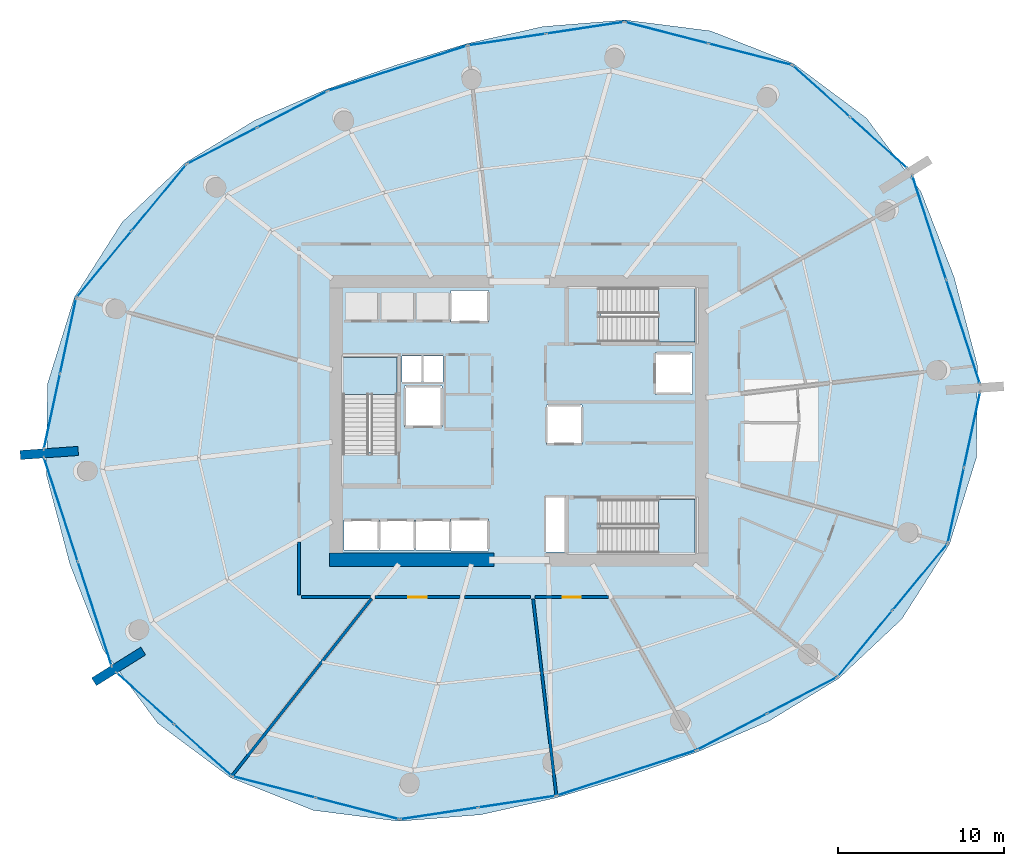
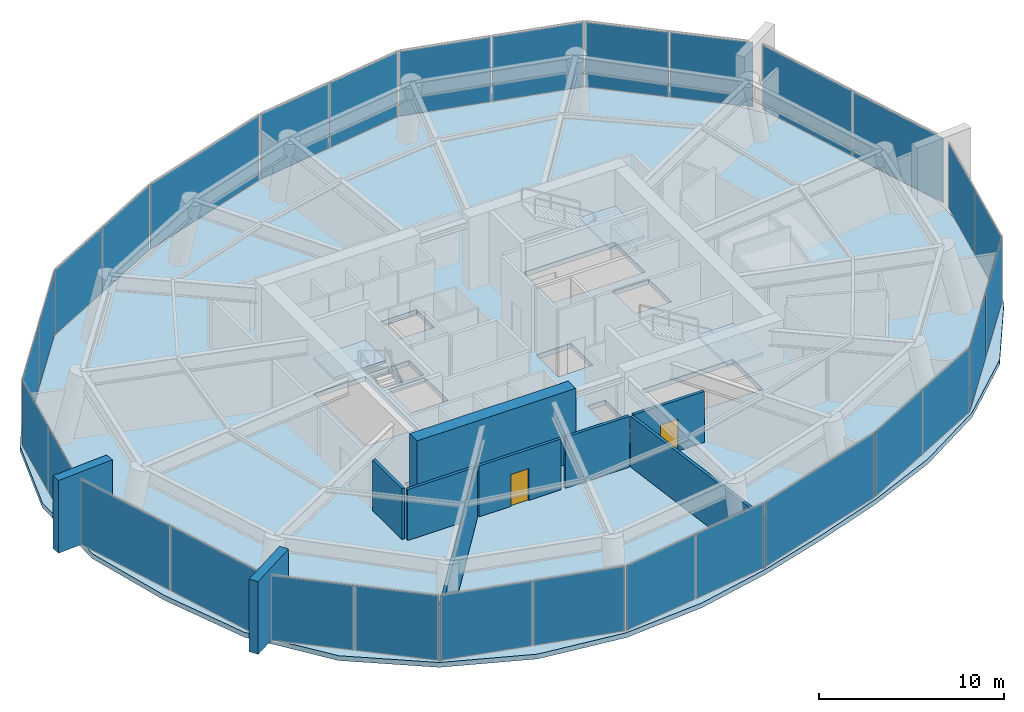
# One storey, part 10 of 16: 30 plates, 10 walls, 4 slabs, 2 doors, 2 openings, 19 elements without a shape of their own.
"""IFC4 building model written with IfcOpenShell, lengths in metres."""

from ifc_helpers import new_model, si_unit, direction, frame, frame_2d, origin, origin_2d, place, context, subcontext, project, spatial, polyline, rectangle, outline, extrude, material, layer, layer_set, type_object, element, fill, aggregate, save


model = new_model("IFC4")

# Units and contexts
model_context = context("Model", 3, precision=1e-05, world=origin(), true_north=direction((0.0, 1.0)))
body_context = subcontext(model_context, "Body", "Model", "MODEL_VIEW")
ifc_project = project(units=[si_unit("LENGTHUNIT", "METRE"), si_unit("AREAUNIT", "SQUARE_METRE"), si_unit("VOLUMEUNIT", "CUBIC_METRE"), si_unit("PLANEANGLEUNIT", "RADIAN"), si_unit("MASSUNIT", "GRAM", prefix="KILO")], contexts=[model_context])

# Site, building, storey
site_placement = place(None, origin())
site = spatial("IfcSite", under=ifc_project, at=site_placement, CompositionType="ELEMENT")
building_placement = place(site_placement, origin())
building = spatial("IfcBuilding", under=site, at=building_placement, Name="Kazma Halo Residences", CompositionType="ELEMENT")
storey_placement = place(building_placement, frame((0.0, 0.0, 123.0)))
storey = spatial("IfcBuildingStorey", under=building, at=storey_placement, Name="L30", CompositionType="ELEMENT", Elevation=123.0)

# Curtain wall, plates
ifc_material_1 = material(Name="Aluminium AW-6063 T6 and Triple-Silver Low-E Glass", Category="aluminium")
ifc_layer_1 = layer(ifc_material_1, 0.199951171875)
ifc_layer_set_1 = layer_set([ifc_layer_1], Name="Aluminium AW-6063 T6 and Triple-Silver Low-E Glass")
curtain_wall_type = type_object("IfcCurtainWallType", Name="CW-SYS-3", PredefinedType="NOTDEFINED", material=ifc_layer_set_1)
curtain_wall_1_placement = place(storey_placement, origin())
curtain_wall_1 = element("IfcCurtainWall", 1, at=curtain_wall_1_placement, inside=storey, type_object=curtain_wall_type, Name="L30 unitised curtain wall B01", PredefinedType="NOTDEFINED")
ifc_material_2 = material(Name="Clear Triple-Silver Low-E Glass IGU", Category="glass")
ifc_layer_2 = layer(ifc_material_2, 0.030029296875)
ifc_layer_set_2 = layer_set([ifc_layer_2], Name="Clear Triple-Silver Low-E Glass IGU")
plate_type = type_object("IfcPlateType", Name="CW-SYS-3-PNL", PredefinedType="CURTAIN_PANEL", material=ifc_layer_set_2)
plate_1_placement = place(storey_placement, frame((70.126953125, 58.763427734375, 0.06982421875), z_axis=(0.0, 0.0, 1.0), x_axis=(-0.744357306517, 0.667781551283, 0.0)))
plate_1 = element("IfcPlate", 2, at=plate_1_placement, type_object=plate_type, Name="CWS-3 panel 1.1", PredefinedType="CURTAIN_PANEL", context=body_context, shape_type="SweptSolid", body=[
    extrude(rectangle(XDim=4.581787109375, YDim=0.030029296875, at=origin_2d()), origin(), (0.0, 0.0, 1.0), 4.260009765625),
])
plate_2_placement = place(storey_placement, frame((66.664306640625, 61.869873046875, 0.06982421875), z_axis=(0.0, 0.0, 1.0), x_axis=(-0.744357306517, 0.667781551283, 0.0)))
plate_2 = element("IfcPlate", 3, at=plate_2_placement, type_object=plate_type, Name="CWS-3 panel 2.1", PredefinedType="CURTAIN_PANEL", context=body_context, shape_type="SweptSolid", body=[
    extrude(rectangle(XDim=4.581787109375, YDim=0.030029296875, at=origin_2d()), origin(), (0.0, 0.0, 1.0), 4.260009765625),
])
aggregate(curtain_wall_1, [plate_1, plate_2])

curtain_wall_2_placement = place(storey_placement, origin())
curtain_wall_2 = element("IfcCurtainWall", 4, at=curtain_wall_2_placement, inside=storey, type_object=curtain_wall_type, Name="L30 unitised curtain wall B02", PredefinedType="NOTDEFINED")
plate_3_placement = place(storey_placement, frame((62.359375, 64.102783203125, 0.06982421875), z_axis=(0.0, 0.0, 1.0), x_axis=(-0.968368348364, 0.249525032584, 0.0)))
plate_3 = element("IfcPlate", 5, at=plate_3_placement, type_object=plate_type, Name="CWS-3 panel 1.1", PredefinedType="CURTAIN_PANEL", context=body_context, shape_type="SweptSolid", body=[
    extrude(rectangle(XDim=5.121826171875, YDim=0.030029296875, at=origin_2d()), origin(), (0.0, 0.0, 1.0), 4.260009765625),
])
plate_4_placement = place(storey_placement, frame((57.331787109375, 65.3984375, 0.06982421875), z_axis=(0.0, 0.0, 1.0), x_axis=(-0.968368348364, 0.249525032584, 0.0)))
plate_4 = element("IfcPlate", 6, at=plate_4_placement, type_object=plate_type, Name="CWS-3 panel 2.1", PredefinedType="CURTAIN_PANEL", context=body_context, shape_type="SweptSolid", body=[
    extrude(rectangle(XDim=5.121826171875, YDim=0.030029296875, at=origin_2d()), origin(), (0.0, 0.0, 1.0), 4.260009765625),
])
aggregate(curtain_wall_2, [plate_3, plate_4])

curtain_wall_3_placement = place(storey_placement, origin())
curtain_wall_3 = element("IfcCurtainWall", 7, at=curtain_wall_3_placement, inside=storey, type_object=curtain_wall_type, Name="L30 unitised curtain wall B03", PredefinedType="NOTDEFINED")
plate_5_placement = place(storey_placement, frame((52.401123046875, 65.6962890625, 0.06982421875), z_axis=(0.0, 0.0, 1.0), x_axis=(-0.988872180269, -0.148767641273, 0.0)))
plate_5 = element("IfcPlate", 8, at=plate_5_placement, type_object=plate_type, Name="CWS-3 panel 1.1", PredefinedType="CURTAIN_PANEL", context=body_context, shape_type="SweptSolid", body=[
    extrude(rectangle(XDim=4.6796875, YDim=0.030029296875, at=origin_2d()), origin(), (0.0, 0.0, 1.0), 4.260009765625),
])
plate_6_placement = place(storey_placement, frame((47.704345703125, 64.98974609375, 0.06982421875), z_axis=(0.0, 0.0, 1.0), x_axis=(-0.988872180269, -0.148767641273, 0.0)))
plate_6 = element("IfcPlate", 9, at=plate_6_placement, type_object=plate_type, Name="CWS-3 panel 2.1", PredefinedType="CURTAIN_PANEL", context=body_context, shape_type="SweptSolid", body=[
    extrude(rectangle(XDim=4.6796875, YDim=0.030029296875, at=origin_2d()), origin(), (0.0, 0.0, 1.0), 4.260009765625),
])
aggregate(curtain_wall_3, [plate_5, plate_6])

# Curtain wall, plate
curtain_wall_4_placement = place(storey_placement, origin())
curtain_wall_4 = element("IfcCurtainWall", 10, at=curtain_wall_4_placement, inside=storey, type_object=curtain_wall_type, Name="L30 unitised curtain wall B04", PredefinedType="NOTDEFINED")
plate_7_placement = place(storey_placement, frame((41.093017578125, 63.25732421875, 0.06982421875), z_axis=(0.0, 0.0, 1.0), x_axis=(-0.951054810656, -0.309022243742, 0.0)))
plate_7 = element("IfcPlate", 11, at=plate_7_placement, type_object=plate_type, Name="CWS-3 panel 1.1", PredefinedType="CURTAIN_PANEL", context=body_context, shape_type="SweptSolid", body=[
    extrude(rectangle(XDim=8.751953125, YDim=0.030029296875, at=origin_2d()), origin(), (0.0, 0.0, 1.0), 4.260009765625),
])
aggregate(curtain_wall_4, [plate_7])

# Curtain wall, plates
curtain_wall_5_placement = place(storey_placement, origin())
curtain_wall_5 = element("IfcCurtainWall", 12, at=curtain_wall_5_placement, inside=storey, type_object=curtain_wall_type, Name="L30 unitised curtain wall B05", PredefinedType="NOTDEFINED")
plate_8_placement = place(storey_placement, frame((34.72607421875, 60.772705078125, 0.06982421875), z_axis=(0.0, 0.0, 1.0), x_axis=(-0.887460321925, -0.46088412536, 0.0)))
plate_8 = element("IfcPlate", 13, at=plate_8_placement, type_object=plate_type, Name="CWS-3 panel 1.1", PredefinedType="CURTAIN_PANEL", context=body_context, shape_type="SweptSolid", body=[
    extrude(rectangle(XDim=4.6796875, YDim=0.030029296875, at=origin_2d()), origin(), (0.0, 0.0, 1.0), 4.260009765625),
])
plate_9_placement = place(storey_placement, frame((30.510986328125, 58.583740234375, 0.06982421875), z_axis=(0.0, 0.0, 1.0), x_axis=(-0.887460321925, -0.46088412536, 0.0)))
plate_9 = element("IfcPlate", 14, at=plate_9_placement, type_object=plate_type, Name="CWS-3 panel 2.1", PredefinedType="CURTAIN_PANEL", context=body_context, shape_type="SweptSolid", body=[
    extrude(rectangle(XDim=4.6796875, YDim=0.030029296875, at=origin_2d()), origin(), (0.0, 0.0, 1.0), 4.260009765625),
])
aggregate(curtain_wall_5, [plate_8, plate_9])

curtain_wall_6_placement = place(storey_placement, origin())
curtain_wall_6 = element("IfcCurtainWall", 15, at=curtain_wall_6_placement, inside=storey, type_object=curtain_wall_type, Name="L30 unitised curtain wall B06", PredefinedType="NOTDEFINED")
plate_10_placement = place(storey_placement, frame((26.697265625, 55.444580078125, 0.06982421875), z_axis=(0.0, 0.0, 1.0), x_axis=(-0.636755852437, -0.771065486446, 0.0)))
plate_10 = element("IfcPlate", 16, at=plate_10_placement, type_object=plate_type, Name="CWS-3 panel 1.1", PredefinedType="CURTAIN_PANEL", context=body_context, shape_type="SweptSolid", body=[
    extrude(rectangle(XDim=5.121826171875, YDim=0.030029296875, at=origin_2d()), origin(), (0.0, 0.0, 1.0), 4.260009765625),
])
plate_11_placement = place(storey_placement, frame((23.391357421875, 51.44140625, 0.06982421875), z_axis=(0.0, 0.0, 1.0), x_axis=(-0.636755852437, -0.771065486446, 0.0)))
plate_11 = element("IfcPlate", 17, at=plate_11_placement, type_object=plate_type, Name="CWS-3 panel 2.1", PredefinedType="CURTAIN_PANEL", context=body_context, shape_type="SweptSolid", body=[
    extrude(rectangle(XDim=5.121826171875, YDim=0.030029296875, at=origin_2d()), origin(), (0.0, 0.0, 1.0), 4.260009765625),
])
aggregate(curtain_wall_6, [plate_10, plate_11])

curtain_wall_7_placement = place(storey_placement, origin())
curtain_wall_7 = element("IfcCurtainWall", 18, at=curtain_wall_7_placement, inside=storey, type_object=curtain_wall_type, Name="L30 unitised curtain wall B07", PredefinedType="NOTDEFINED")
plate_12_placement = place(storey_placement, frame((21.220947265625, 47.104248046875, 0.06982421875), z_axis=(0.0, 0.0, 1.0), x_axis=(-0.209680624634, -0.977769929816, 0.0)))
plate_12 = element("IfcPlate", 19, at=plate_12_placement, type_object=plate_type, Name="CWS-3 panel 1.1", PredefinedType="CURTAIN_PANEL", context=body_context, shape_type="SweptSolid", body=[
    extrude(rectangle(XDim=4.581787109375, YDim=0.030029296875, at=origin_2d()), origin(), (0.0, 0.0, 1.0), 4.260009765625),
])
plate_13_placement = place(storey_placement, frame((20.24560546875, 42.555908203125, 0.06982421875), z_axis=(0.0, 0.0, 1.0), x_axis=(-0.209680624634, -0.977769929816, 0.0)))
plate_13 = element("IfcPlate", 20, at=plate_13_placement, type_object=plate_type, Name="CWS-3 panel 2.1", PredefinedType="CURTAIN_PANEL", context=body_context, shape_type="SweptSolid", body=[
    extrude(rectangle(XDim=4.581787109375, YDim=0.030029296875, at=origin_2d()), origin(), (0.0, 0.0, 1.0), 4.260009765625),
])
aggregate(curtain_wall_7, [plate_12, plate_13])

curtain_wall_8_placement = place(storey_placement, origin())
curtain_wall_8 = element("IfcCurtainWall", 21, at=curtain_wall_8_placement, inside=storey, type_object=curtain_wall_type, Name="L30 unitised curtain wall B08", PredefinedType="NOTDEFINED")
plate_14_placement = place(storey_placement, frame((20.788818359375, 36.62939453125, 0.06982421875), z_axis=(0.0, 0.0, 1.0), x_axis=(0.309018103641, -0.951056155872, 0.0)))
plate_14 = element("IfcPlate", 22, at=plate_14_placement, type_object=plate_type, Name="CWS-3 panel 1.1", PredefinedType="CURTAIN_PANEL", context=body_context, shape_type="SweptSolid", body=[
    extrude(rectangle(XDim=6.531982421875, YDim=0.030029296875, at=origin_2d()), origin(), (0.0, 0.0, 1.0), 4.260009765625),
])
plate_15_placement = place(storey_placement, frame((22.828857421875, 30.3505859375, 0.06982421875), z_axis=(0.0, 0.0, 1.0), x_axis=(0.309018103641, -0.951056155872, 0.0)))
plate_15 = element("IfcPlate", 23, at=plate_15_placement, type_object=plate_type, Name="CWS-3 panel 2.1", PredefinedType="CURTAIN_PANEL", context=body_context, shape_type="SweptSolid", body=[
    extrude(rectangle(XDim=6.531982421875, YDim=0.030029296875, at=origin_2d()), origin(), (0.0, 0.0, 1.0), 4.260009765625),
])
aggregate(curtain_wall_8, [plate_14, plate_15])

curtain_wall_9_placement = place(storey_placement, origin())
curtain_wall_9 = element("IfcCurtainWall", 24, at=curtain_wall_9_placement, inside=storey, type_object=curtain_wall_type, Name="L30 unitised curtain wall B09", PredefinedType="NOTDEFINED")
plate_16_placement = place(storey_placement, frame((25.873046875, 25.236572265625, 0.06982421875), z_axis=(0.0, 0.0, 1.0), x_axis=(0.744357306517, -0.667781551283, 0.0)))
plate_16 = element("IfcPlate", 25, at=plate_16_placement, type_object=plate_type, Name="CWS-3 panel 1.1", PredefinedType="CURTAIN_PANEL", context=body_context, shape_type="SweptSolid", body=[
    extrude(rectangle(XDim=4.581787109375, YDim=0.030029296875, at=origin_2d()), origin(), (0.0, 0.0, 1.0), 4.260009765625),
])
plate_17_placement = place(storey_placement, frame((29.335693359375, 22.130126953125, 0.06982421875), z_axis=(0.0, 0.0, 1.0), x_axis=(0.744357306517, -0.667781551283, 0.0)))
plate_17 = element("IfcPlate", 26, at=plate_17_placement, type_object=plate_type, Name="CWS-3 panel 2.1", PredefinedType="CURTAIN_PANEL", context=body_context, shape_type="SweptSolid", body=[
    extrude(rectangle(XDim=4.581787109375, YDim=0.030029296875, at=origin_2d()), origin(), (0.0, 0.0, 1.0), 4.260009765625),
])
aggregate(curtain_wall_9, [plate_16, plate_17])

curtain_wall_10_placement = place(storey_placement, origin())
curtain_wall_10 = element("IfcCurtainWall", 27, at=curtain_wall_10_placement, inside=storey, type_object=curtain_wall_type, Name="L30 unitised curtain wall B10", PredefinedType="NOTDEFINED")
plate_18_placement = place(storey_placement, frame((33.640625, 19.897216796875, 0.06982421875), z_axis=(0.0, 0.0, 1.0), x_axis=(0.968368348364, -0.249525032584, 0.0)))
plate_18 = element("IfcPlate", 28, at=plate_18_placement, type_object=plate_type, Name="CWS-3 panel 1.1", PredefinedType="CURTAIN_PANEL", context=body_context, shape_type="SweptSolid", body=[
    extrude(rectangle(XDim=5.121826171875, YDim=0.030029296875, at=origin_2d()), origin(), (0.0, 0.0, 1.0), 4.260009765625),
])
plate_19_placement = place(storey_placement, frame((38.668212890625, 18.6015625, 0.06982421875), z_axis=(0.0, 0.0, 1.0), x_axis=(0.968368348364, -0.249525032584, 0.0)))
plate_19 = element("IfcPlate", 29, at=plate_19_placement, type_object=plate_type, Name="CWS-3 panel 2.1", PredefinedType="CURTAIN_PANEL", context=body_context, shape_type="SweptSolid", body=[
    extrude(rectangle(XDim=5.121826171875, YDim=0.030029296875, at=origin_2d()), origin(), (0.0, 0.0, 1.0), 4.260009765625),
])
aggregate(curtain_wall_10, [plate_18, plate_19])

curtain_wall_11_placement = place(storey_placement, origin())
curtain_wall_11 = element("IfcCurtainWall", 30, at=curtain_wall_11_placement, inside=storey, type_object=curtain_wall_type, Name="L30 unitised curtain wall B11", PredefinedType="NOTDEFINED")
plate_20_placement = place(storey_placement, frame((43.598876953125, 18.3037109375, 0.06982421875), z_axis=(0.0, 0.0, 1.0), x_axis=(0.988872180269, 0.148767641273, 0.0)))
plate_20 = element("IfcPlate", 31, at=plate_20_placement, type_object=plate_type, Name="CWS-3 panel 1.1", PredefinedType="CURTAIN_PANEL", context=body_context, shape_type="SweptSolid", body=[
    extrude(rectangle(XDim=4.6796875, YDim=0.030029296875, at=origin_2d()), origin(), (0.0, 0.0, 1.0), 4.260009765625),
])
plate_21_placement = place(storey_placement, frame((48.295654296875, 19.01025390625, 0.06982421875), z_axis=(0.0, 0.0, 1.0), x_axis=(0.988872180269, 0.148767641273, 0.0)))
plate_21 = element("IfcPlate", 32, at=plate_21_placement, type_object=plate_type, Name="CWS-3 panel 2.1", PredefinedType="CURTAIN_PANEL", context=body_context, shape_type="SweptSolid", body=[
    extrude(rectangle(XDim=4.6796875, YDim=0.030029296875, at=origin_2d()), origin(), (0.0, 0.0, 1.0), 4.260009765625),
])
aggregate(curtain_wall_11, [plate_20, plate_21])

# Curtain wall, plate
curtain_wall_12_placement = place(storey_placement, origin())
curtain_wall_12 = element("IfcCurtainWall", 33, at=curtain_wall_12_placement, inside=storey, type_object=curtain_wall_type, Name="L30 unitised curtain wall B12", PredefinedType="NOTDEFINED")
plate_22_placement = place(storey_placement, frame((54.906982421875, 20.74267578125, 0.06982421875), z_axis=(0.0, 0.0, 1.0), x_axis=(0.951054810656, 0.309022243742, 0.0)))
plate_22 = element("IfcPlate", 34, at=plate_22_placement, type_object=plate_type, Name="CWS-3 panel 1.1", PredefinedType="CURTAIN_PANEL", context=body_context, shape_type="SweptSolid", body=[
    extrude(rectangle(XDim=8.751953125, YDim=0.030029296875, at=origin_2d()), origin(), (0.0, 0.0, 1.0), 4.260009765625),
])
aggregate(curtain_wall_12, [plate_22])

# Curtain wall, plates
curtain_wall_13_placement = place(storey_placement, origin())
curtain_wall_13 = element("IfcCurtainWall", 35, at=curtain_wall_13_placement, inside=storey, type_object=curtain_wall_type, Name="L30 unitised curtain wall B13", PredefinedType="NOTDEFINED")
plate_23_placement = place(storey_placement, frame((61.27392578125, 23.227294921875, 0.06982421875), z_axis=(0.0, 0.0, 1.0), x_axis=(0.887460321925, 0.46088412536, 0.0)))
plate_23 = element("IfcPlate", 36, at=plate_23_placement, type_object=plate_type, Name="CWS-3 panel 1.1", PredefinedType="CURTAIN_PANEL", context=body_context, shape_type="SweptSolid", body=[
    extrude(rectangle(XDim=4.6796875, YDim=0.030029296875, at=origin_2d()), origin(), (0.0, 0.0, 1.0), 4.260009765625),
])
plate_24_placement = place(storey_placement, frame((65.489013671875, 25.416259765625, 0.06982421875), z_axis=(0.0, 0.0, 1.0), x_axis=(0.887460321925, 0.46088412536, 0.0)))
plate_24 = element("IfcPlate", 37, at=plate_24_placement, type_object=plate_type, Name="CWS-3 panel 2.1", PredefinedType="CURTAIN_PANEL", context=body_context, shape_type="SweptSolid", body=[
    extrude(rectangle(XDim=4.6796875, YDim=0.030029296875, at=origin_2d()), origin(), (0.0, 0.0, 1.0), 4.260009765625),
])
aggregate(curtain_wall_13, [plate_23, plate_24])

curtain_wall_14_placement = place(storey_placement, origin())
curtain_wall_14 = element("IfcCurtainWall", 38, at=curtain_wall_14_placement, inside=storey, type_object=curtain_wall_type, Name="L30 unitised curtain wall B14", PredefinedType="NOTDEFINED")
plate_25_placement = place(storey_placement, frame((69.302734375, 28.555419921875, 0.06982421875), z_axis=(0.0, 0.0, 1.0), x_axis=(0.636755852437, 0.771065486446, 0.0)))
plate_25 = element("IfcPlate", 39, at=plate_25_placement, type_object=plate_type, Name="CWS-3 panel 1.1", PredefinedType="CURTAIN_PANEL", context=body_context, shape_type="SweptSolid", body=[
    extrude(rectangle(XDim=5.121826171875, YDim=0.030029296875, at=origin_2d()), origin(), (0.0, 0.0, 1.0), 4.260009765625),
])
plate_26_placement = place(storey_placement, frame((72.608642578125, 32.55859375, 0.06982421875), z_axis=(0.0, 0.0, 1.0), x_axis=(0.636755852437, 0.771065486446, 0.0)))
plate_26 = element("IfcPlate", 40, at=plate_26_placement, type_object=plate_type, Name="CWS-3 panel 2.1", PredefinedType="CURTAIN_PANEL", context=body_context, shape_type="SweptSolid", body=[
    extrude(rectangle(XDim=5.121826171875, YDim=0.030029296875, at=origin_2d()), origin(), (0.0, 0.0, 1.0), 4.260009765625),
])
aggregate(curtain_wall_14, [plate_25, plate_26])

curtain_wall_15_placement = place(storey_placement, origin())
curtain_wall_15 = element("IfcCurtainWall", 41, at=curtain_wall_15_placement, inside=storey, type_object=curtain_wall_type, Name="L30 unitised curtain wall B15", PredefinedType="NOTDEFINED")
plate_27_placement = place(storey_placement, frame((74.779052734375, 36.895751953125, 0.06982421875), z_axis=(0.0, 0.0, 1.0), x_axis=(0.209680624634, 0.977769929816, 0.0)))
plate_27 = element("IfcPlate", 42, at=plate_27_placement, type_object=plate_type, Name="CWS-3 panel 1.1", PredefinedType="CURTAIN_PANEL", context=body_context, shape_type="SweptSolid", body=[
    extrude(rectangle(XDim=4.581787109375, YDim=0.030029296875, at=origin_2d()), origin(), (0.0, 0.0, 1.0), 4.260009765625),
])
plate_28_placement = place(storey_placement, frame((75.75439453125, 41.444091796875, 0.06982421875), z_axis=(0.0, 0.0, 1.0), x_axis=(0.209680624634, 0.977769929816, 0.0)))
plate_28 = element("IfcPlate", 43, at=plate_28_placement, type_object=plate_type, Name="CWS-3 panel 2.1", PredefinedType="CURTAIN_PANEL", context=body_context, shape_type="SweptSolid", body=[
    extrude(rectangle(XDim=4.581787109375, YDim=0.030029296875, at=origin_2d()), origin(), (0.0, 0.0, 1.0), 4.260009765625),
])
aggregate(curtain_wall_15, [plate_27, plate_28])

curtain_wall_16_placement = place(storey_placement, origin())
curtain_wall_16 = element("IfcCurtainWall", 44, at=curtain_wall_16_placement, inside=storey, type_object=curtain_wall_type, Name="L30 unitised curtain wall B16", PredefinedType="NOTDEFINED")
plate_29_placement = place(storey_placement, frame((75.211181640625, 47.37060546875, 0.06982421875), z_axis=(0.0, 0.0, 1.0), x_axis=(-0.309018103641, 0.951056155872, 0.0)))
plate_29 = element("IfcPlate", 45, at=plate_29_placement, type_object=plate_type, Name="CWS-3 panel 1.1", PredefinedType="CURTAIN_PANEL", context=body_context, shape_type="SweptSolid", body=[
    extrude(rectangle(XDim=6.531982421875, YDim=0.030029296875, at=origin_2d()), origin(), (0.0, 0.0, 1.0), 4.260009765625),
])
plate_30_placement = place(storey_placement, frame((73.171142578125, 53.6494140625, 0.06982421875), z_axis=(0.0, 0.0, 1.0), x_axis=(-0.309018103641, 0.951056155872, 0.0)))
plate_30 = element("IfcPlate", 46, at=plate_30_placement, type_object=plate_type, Name="CWS-3 panel 2.1", PredefinedType="CURTAIN_PANEL", context=body_context, shape_type="SweptSolid", body=[
    extrude(rectangle(XDim=6.531982421875, YDim=0.030029296875, at=origin_2d()), origin(), (0.0, 0.0, 1.0), 4.260009765625),
])
aggregate(curtain_wall_16, [plate_29, plate_30])

# Slab
ifc_material_3 = material(Name="Concrete C50/60", Category="concrete")
ifc_layer_3 = layer(ifc_material_3, 0.320068359375)
ifc_layer_set_3 = layer_set([ifc_layer_3], Name="Concrete C50/60")
slab_type_1 = type_object("IfcSlabType", Name="SLB-POD-320", PredefinedType="FLOOR", material=ifc_layer_set_3)
slab_1_placement = place(storey_placement, frame((0.0, 0.0, -0.320068359375)))
element("IfcSlab", 47, at=slab_1_placement, inside=storey, type_object=slab_type_1, Name="L30 structural floor slab", PredefinedType="FLOOR", context=body_context, shape_type="SweptSolid", body=[
    extrude(outline(polyline([(74.67138671875, 50.666015625), (72.670654296875, 55.81640625), (69.37890625, 60.25927734375), (64.981201171875, 63.54052734375), (59.97998046875, 65.51220703125), (54.816650390625, 66.17041015625), (49.87109375, 65.77490234375), (45.307373046875, 64.750244140625), (41.028076171875, 63.457275390625), (36.80615234375, 61.988037109375), (32.51171875, 60.134521484375), (28.2783203125, 57.54736328125), (24.48779296875, 53.97998046875), (21.6005859375, 49.4453125), (19.9716796875, 44.205810546875), (19.919921875, 38.676513671875), (21.32861328125, 33.333984375), (23.329345703125, 28.18359375), (26.62109375, 23.74072265625), (31.018798828125, 20.45947265625), (36.02001953125, 18.48779296875), (41.183349609375, 17.82958984375), (46.12890625, 18.22509765625), (50.692626953125, 19.249755859375), (54.971923828125, 20.542724609375), (59.19384765625, 22.011962890625), (63.48828125, 23.865478515625), (67.7216796875, 26.45263671875), (71.51220703125, 30.02001953125), (74.3994140625, 34.5546875), (76.0283203125, 39.794189453125), (76.080078125, 45.323486328125), (74.67138671875, 50.666015625)]), holes=[polyline([(37.800048828125, 40.110107421875), (41.050048828125, 40.110107421875), (41.050048828125, 45.800048828125), (37.800048828125, 45.800048828125), (37.800048828125, 40.110107421875)]), polyline([(53.360107421875, 46.75), (59.050048828125, 46.75), (59.050048828125, 50.0), (53.360107421875, 50.0), (53.360107421875, 46.75)]), polyline([(53.360107421875, 34.0), (59.050048828125, 34.0), (59.050048828125, 37.25), (53.360107421875, 37.25), (53.360107421875, 34.0)]), polyline([(41.52001953125, 41.6201171875), (43.780029296875, 41.6201171875), (43.780029296875, 44.080078125), (41.52001953125, 44.080078125), (41.52001953125, 41.6201171875)]), polyline([(56.6201171875, 43.6201171875), (58.8798828125, 43.6201171875), (58.8798828125, 46.080078125), (56.6201171875, 46.080078125), (56.6201171875, 43.6201171875)]), polyline([(37.864990234375, 34.195068359375), (39.97509765625, 34.195068359375), (39.97509765625, 36.0048828125), (37.864990234375, 36.0048828125), (37.864990234375, 34.195068359375)]), polyline([(40.014892578125, 34.195068359375), (42.125, 34.195068359375), (42.125, 36.0048828125), (40.014892578125, 36.0048828125), (40.014892578125, 34.195068359375)]), polyline([(42.1650390625, 34.195068359375), (44.27490234375, 34.195068359375), (44.27490234375, 36.0048828125), (42.1650390625, 36.0048828125), (42.1650390625, 34.195068359375)]), polyline([(44.320068359375, 47.945068359375), (46.580078125, 47.945068359375), (46.580078125, 49.85498046875), (44.320068359375, 49.85498046875), (44.320068359375, 47.945068359375)]), polyline([(44.320068359375, 34.14501953125), (46.580078125, 34.14501953125), (46.580078125, 36.054931640625), (44.320068359375, 36.054931640625), (44.320068359375, 34.14501953125)]), polyline([(50.070068359375, 40.570068359375), (52.22998046875, 40.570068359375), (52.22998046875, 42.929931640625), (50.070068359375, 42.929931640625), (50.070068359375, 40.570068359375)]), polyline([(41.360107421875, 44.340087890625), (42.5400390625, 44.340087890625), (42.5400390625, 45.89990234375), (41.360107421875, 45.89990234375), (41.360107421875, 44.340087890625)]), polyline([(42.659912109375, 44.340087890625), (43.840087890625, 44.340087890625), (43.840087890625, 45.89990234375), (42.659912109375, 45.89990234375), (42.659912109375, 44.340087890625)]), polyline([(50.06005859375, 34.080078125), (51.159912109375, 34.080078125), (51.159912109375, 37.3798828125), (50.06005859375, 37.3798828125), (50.06005859375, 34.080078125)])]), origin(), (0.0, 0.0, 1.0), 0.320068359375),
])

# Stair, slab
stair_type = type_object("IfcStairType", Name="STR-POD", PredefinedType="HALF_TURN_STAIR", material=ifc_material_3)
stair_1_placement = place(storey_placement, origin())
stair_1 = element("IfcStair", 48, at=stair_1_placement, inside=storey, type_object=stair_type, Name="L30 Core exit stair ST-01", PredefinedType="HALF_TURN_STAIR")
ifc_layer_4 = layer(ifc_material_3, 0.199951171875)
ifc_layer_set_4 = layer_set([ifc_layer_4], Name="Concrete C50/60")
slab_type_2 = type_object("IfcSlabType", Name="SLB-STAIR-LND-200", PredefinedType="LANDING", material=ifc_layer_set_4)
slab_2_placement = place(storey_placement, frame((0.0, 0.0, 2.199951171875)))
slab_2 = element("IfcSlab", 49, at=slab_2_placement, type_object=slab_type_2, Name="ST-01 landing 1", PredefinedType="LANDING", context=body_context, shape_type="SweptSolid", body=[
    extrude(outline(polyline([(41.050048828125, 43.590087890625), (41.050048828125, 45.800048828125), (37.800048828125, 45.800048828125), (37.800048828125, 43.590087890625), (41.050048828125, 43.590087890625)])), origin(), (0.0, 0.0, 1.0), 0.199951171875),
])
aggregate(stair_1, [slab_2])

stair_2_placement = place(storey_placement, origin())
stair_2 = element("IfcStair", 50, at=stair_2_placement, inside=storey, type_object=stair_type, Name="L30 Core exit stair ST-02", PredefinedType="HALF_TURN_STAIR")
slab_3_placement = place(storey_placement, frame((0.0, 0.0, 2.199951171875)))
slab_3 = element("IfcSlab", 51, at=slab_3_placement, type_object=slab_type_2, Name="ST-02 landing 1", PredefinedType="LANDING", context=body_context, shape_type="SweptSolid", body=[
    extrude(outline(polyline([(56.840087890625, 46.75), (59.050048828125, 46.75), (59.050048828125, 50.0), (56.840087890625, 50.0), (56.840087890625, 46.75)])), origin(), (0.0, 0.0, 1.0), 0.199951171875),
])
aggregate(stair_2, [slab_3])

stair_3_placement = place(storey_placement, origin())
stair_3 = element("IfcStair", 52, at=stair_3_placement, inside=storey, type_object=stair_type, Name="L30 Core exit stair ST-03", PredefinedType="HALF_TURN_STAIR")
slab_4_placement = place(storey_placement, frame((0.0, 0.0, 2.199951171875)))
slab_4 = element("IfcSlab", 53, at=slab_4_placement, type_object=slab_type_2, Name="ST-03 landing 1", PredefinedType="LANDING", context=body_context, shape_type="SweptSolid", body=[
    extrude(outline(polyline([(56.840087890625, 34.0), (59.050048828125, 34.0), (59.050048828125, 37.25), (56.840087890625, 37.25), (56.840087890625, 34.0)])), origin(), (0.0, 0.0, 1.0), 0.199951171875),
])
aggregate(stair_3, [slab_4])

# Walls
ifc_material_4 = material(Name="Pale Concrete C60/75", Category="concrete")
ifc_layer_5 = layer(ifc_material_4, 0.550048828125)
ifc_layer_set_5 = layer_set([ifc_layer_5], Name="Pale Concrete C60/75")
wall_type_1 = type_object("IfcWallType", Name="WL-BLADE-550", PredefinedType="SOLIDWALL", material=ifc_layer_set_5)
for number, where, z_axis, x_axis, name in (
    (54, (21.828125, 40.169921875, 0.0), (0.0, 0.0, 1.0), (-0.997564163539, -0.069754853754, 0.0), "L30 pale concrete structural blade fin wall BW-02"),
    (55, (25.750732421875, 28.09716796875, 0.0), (0.0, 0.0, 1.0), (-0.848033572426, -0.529942506352, 0.0), "L30 pale concrete structural blade fin wall BW-03"),
):
    element("IfcWall", number, at=place(storey_placement, frame(where, z_axis=z_axis, x_axis=x_axis)), inside=storey, type_object=wall_type_1, Name=name, PredefinedType="SOLIDWALL", context=body_context, shape_type="SweptSolid", body=[
        extrude(rectangle(XDim=3.5, YDim=0.550048828125, at=frame_2d((1.75, 0.0))), origin(), (0.0, 0.0, 1.0), 4.800048828125),
    ])
ifc_material_5 = material(Name="Concrete C80/95", Category="concrete")
ifc_layer_6 = layer(ifc_material_5, 0.800048828125)
ifc_layer_set_6 = layer_set([ifc_layer_6], Name="Concrete C80/95")
wall_type_2 = type_object("IfcWallType", Name="WL-CORE-800", PredefinedType="SHEAR", material=ifc_layer_set_6)
wall_1_placement = place(storey_placement, frame((37.0, 33.60009765625, 0.0), z_axis=(0.0, 0.0, 1.0), x_axis=(1.0, 0.0, 0.0)))
element("IfcWall", 56, at=wall_1_placement, inside=storey, type_object=wall_type_2, Name="L30 central core shear wall SW", PredefinedType="SHEAR", context=body_context, shape_type="SweptSolid", body=[
    extrude(rectangle(XDim=9.89990234375, YDim=0.800048828125, at=frame_2d((4.949951171875, 0.0))), origin(), (0.0, 0.0, 1.0), 4.800048828125),
])
ifc_material_6 = material(Name="Acoustic Twin-Stud Gypsum")
ifc_layer_7 = layer(ifc_material_6, 0.179931640625)
ifc_layer_set_7 = layer_set([ifc_layer_7], Name="Acoustic Twin-Stud Gypsum")
wall_type_3 = type_object("IfcWallType", Name="WL-DEM-180", PredefinedType="PARTITIONING", material=ifc_layer_set_7)
wall_2_placement = place(storey_placement, frame((35.14990234375, 34.663818359375, 0.0), z_axis=(0.0, 0.0, 1.0), x_axis=(0.0, -1.0, 0.0)))
element("IfcWall", 57, at=wall_2_placement, inside=storey, type_object=wall_type_3, Name="L30 Sky Wellness Studio corridor wall", PredefinedType="PARTITIONING", context=body_context, shape_type="SweptSolid", body=[
    extrude(rectangle(XDim=3.173828125, YDim=0.179931640625, at=frame_2d((1.5869140625, 0.0))), origin(), (0.0, 0.0, 1.0), 3.35693359375),
])
wall_3_placement = place(storey_placement, frame((35.2900390625, 31.35009765625, 0.0), z_axis=(0.0, 0.0, 1.0), x_axis=(1.0, 0.0, 0.0)))
element("IfcWall", 58, at=wall_3_placement, inside=storey, type_object=wall_type_3, Name="L30 Sky Wellness Studio corridor wall", PredefinedType="PARTITIONING", context=body_context, shape_type="SweptSolid", body=[
    extrude(rectangle(XDim=4.174072265625, YDim=0.179931640625, at=frame_2d((2.0869140625, 0.0))), origin(), (0.0, 0.0, 1.0), 3.35693359375),
])
wall_4_placement = place(storey_placement, frame((39.5361328125, 31.263671875, 0.0), z_axis=(0.0, 0.0, 1.0), x_axis=(-0.619097535172, -0.785314104001, 0.0)))
element("IfcWall", 59, at=wall_4_placement, inside=storey, type_object=wall_type_3, Name="L30 radial partition wall 09", PredefinedType="PARTITIONING", context=body_context, shape_type="SweptSolid", body=[
    extrude(rectangle(XDim=13.613037109375, YDim=0.179931640625, at=frame_2d((6.806640625, 0.0))), origin(), (0.0, 0.0, 1.0), 3.35693359375),
])

# Wall, opening, door
wall_5_placement = place(storey_placement, frame((39.744140625, 31.35009765625, 0.0), z_axis=(0.0, 0.0, 1.0), x_axis=(1.0, 0.0, 0.0)))
wall_5 = element("IfcWall", 60, at=wall_5_placement, inside=storey, type_object=wall_type_3, Name="L30 Sky Quiet Library corridor wall", PredefinedType="PARTITIONING", context=body_context, shape_type="SweptSolid", body=[
    extrude(rectangle(XDim=5.1123046875, YDim=0.179931640625, at=frame_2d((2.55615234375, 0.0))), origin(), (0.0, 0.0, 1.0), 3.35693359375),
])
opening_1_placement = place(wall_5_placement, frame((2.006103515625, 0.0, 0.0)))
opening_1 = element("IfcOpeningElement", 61, at=opening_1_placement, cuts=wall_5, Name="Opening DA-1100", PredefinedType="OPENING", context=body_context, shape_type="SweptSolid", body=[
    extrude(rectangle(XDim=1.10009765625, YDim=2.10009765625, at=frame_2d((0.550048828125, 1.050048828125))), frame((0.0, 0.099853515625, 0.0), z_axis=(0.0, -1.0, 0.0), x_axis=(1.0, 0.0, 0.0)), (0.0, 0.0, 1.0), 0.199951171875),
])
ifc_material_7 = material(Name="Acoustic Walnut Fire Leaf")
door_type = type_object("IfcDoorType", Name="DR-FD60-1100", OperationType="NOTDEFINED", PredefinedType="DOOR", material=ifc_material_7)
door_1_placement = place(opening_1_placement, origin())
door_1 = element("IfcDoor", 62, at=door_1_placement, inside=storey, type_object=door_type, Name="L30 Sky Quiet Library entrance door", OperationType="SINGLE_SWING_LEFT", OverallHeight=2.10009765625, OverallWidth=1.10009765625, PredefinedType="DOOR", context=body_context, shape_type="SweptSolid", body=[
    extrude(rectangle(XDim=1.10009765625, YDim=2.10009765625, at=frame_2d((0.550048828125, 1.050048828125))), frame((0.0, 0.02490234375, 0.0), z_axis=(0.0, -1.0, 0.0), x_axis=(1.0, 0.0, 0.0)), (0.0, 0.0, 1.0), 0.050048828125),
])
fill(opening_1, door_1)

# Walls
wall_6_placement = place(storey_placement, frame((45.136474609375, 31.35009765625, 0.0), z_axis=(0.0, 0.0, 1.0), x_axis=(1.0, 0.0, 0.0)))
element("IfcWall", 63, at=wall_6_placement, inside=storey, type_object=wall_type_3, Name="L30 Sky Quiet Library corridor wall", PredefinedType="PARTITIONING", context=body_context, shape_type="SweptSolid", body=[
    extrude(rectangle(XDim=3.984130859375, YDim=0.179931640625, at=frame_2d((1.9921875, 0.0))), origin(), (0.0, 0.0, 1.0), 3.35693359375),
])
wall_7_placement = place(storey_placement, frame((49.2734375, 31.24072265625, 0.0), z_axis=(0.0, 0.0, 1.0), x_axis=(0.117528707393, -0.993069485453, 0.0)))
element("IfcWall", 64, at=wall_7_placement, inside=storey, type_object=wall_type_3, Name="L30 radial partition wall 11", PredefinedType="PARTITIONING", context=body_context, shape_type="SweptSolid", body=[
    extrude(rectangle(XDim=11.929931640625, YDim=0.179931640625, at=frame_2d((5.96484375, 0.0))), origin(), (0.0, 0.0, 1.0), 3.35693359375),
])

# Wall, opening, door
wall_8_placement = place(storey_placement, frame((49.400390625, 31.35009765625, 0.0), z_axis=(0.0, 0.0, 1.0), x_axis=(1.0, 0.0, 0.0)))
wall_8 = element("IfcWall", 65, at=wall_8_placement, inside=storey, type_object=wall_type_3, Name="L30 Sky Catering Pantry corridor wall", PredefinedType="PARTITIONING", context=body_context, shape_type="SweptSolid", body=[
    extrude(rectangle(XDim=4.423828125, YDim=0.179931640625, at=frame_2d((2.2119140625, 0.0))), origin(), (0.0, 0.0, 1.0), 3.35693359375),
])
opening_2_placement = place(wall_8_placement, frame((1.661865234375, 0.0, 0.0)))
opening_2 = element("IfcOpeningElement", 66, at=opening_2_placement, cuts=wall_8, Name="Opening DA-1100", PredefinedType="OPENING", context=body_context, shape_type="SweptSolid", body=[
    extrude(rectangle(XDim=1.10009765625, YDim=2.10009765625, at=frame_2d((0.550048828125, 1.050048828125))), frame((0.0, 0.099853515625, 0.0), z_axis=(0.0, -1.0, 0.0), x_axis=(1.0, 0.0, 0.0)), (0.0, 0.0, 1.0), 0.199951171875),
])
door_2_placement = place(opening_2_placement, origin())
door_2 = element("IfcDoor", 67, at=door_2_placement, inside=storey, type_object=door_type, Name="L30 Sky Catering Pantry entrance door", OperationType="SINGLE_SWING_RIGHT", OverallHeight=2.10009765625, OverallWidth=1.10009765625, PredefinedType="DOOR", context=body_context, shape_type="SweptSolid", body=[
    extrude(rectangle(XDim=1.10009765625, YDim=2.10009765625, at=frame_2d((0.550048828125, 1.050048828125))), frame((0.0, 0.02490234375, 0.0), z_axis=(0.0, -1.0, 0.0), x_axis=(1.0, 0.0, 0.0)), (0.0, 0.0, 1.0), 0.050048828125),
])
fill(opening_2, door_2)

save(model, "model.ifc")
